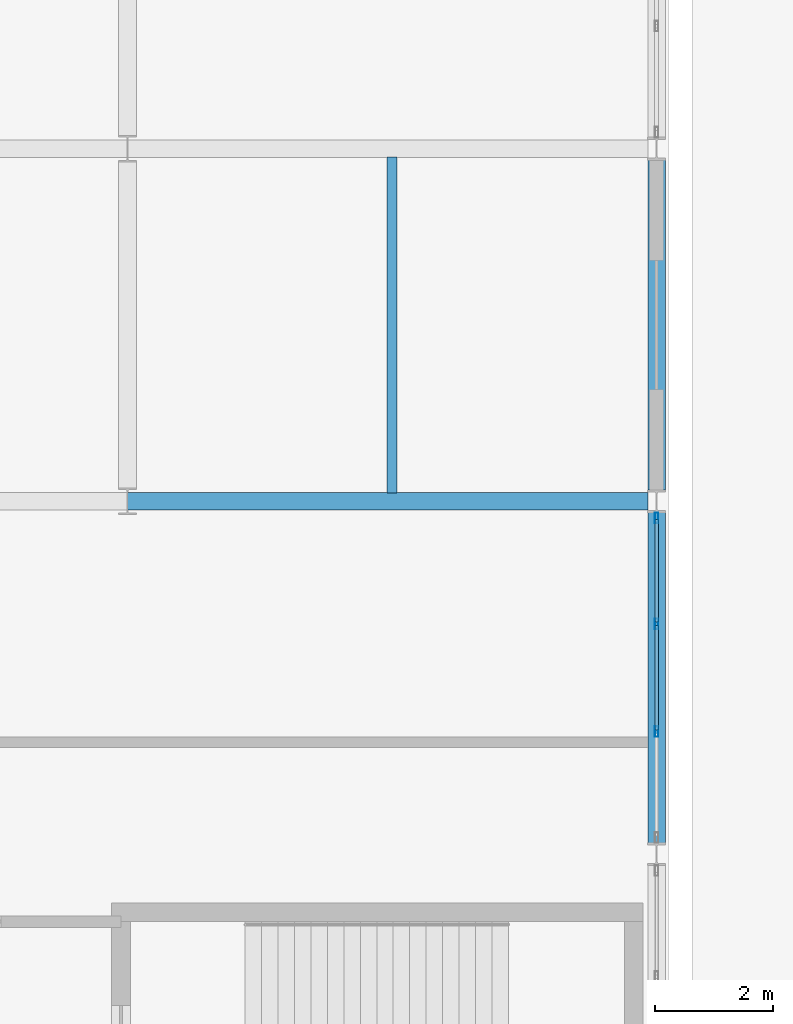
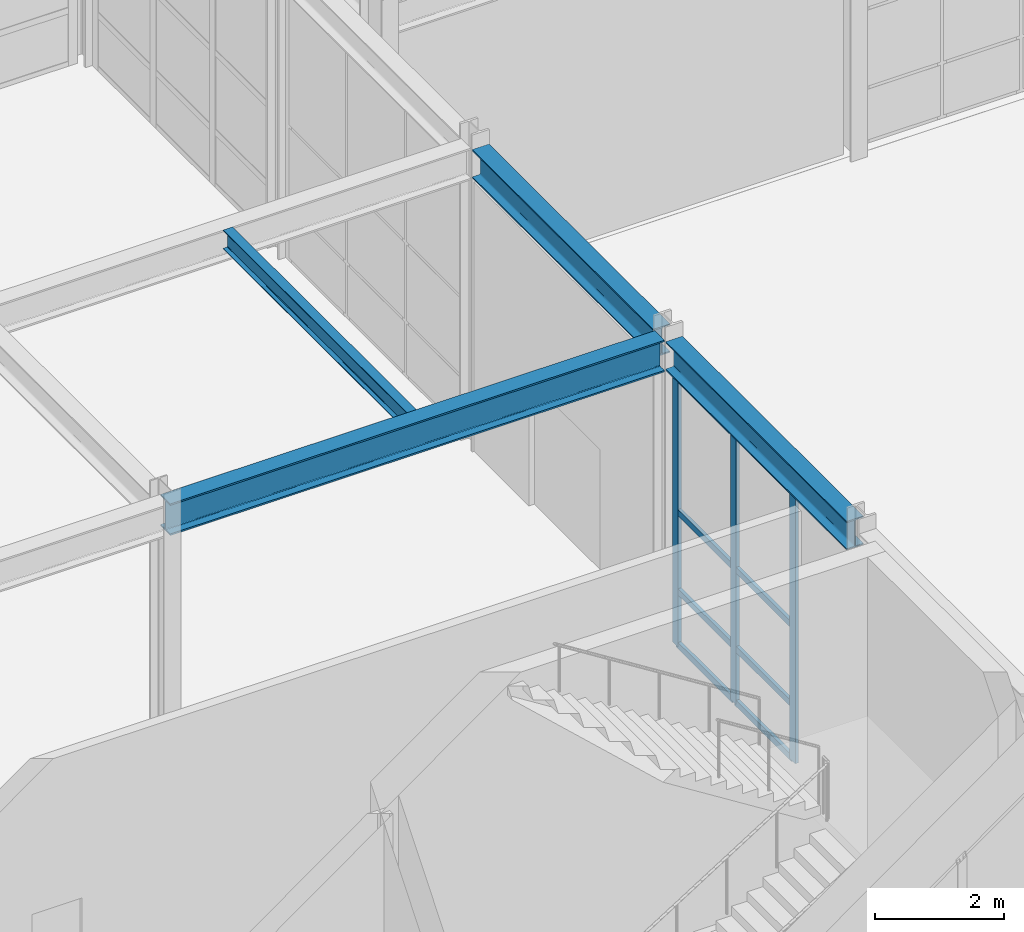
# One storey, part 38 of 146: 11 members, 4 beams, 1 element without a shape of its own.
"""IFC4 building model written with IfcOpenShell, lengths in metres."""

from ifc_helpers import new_model, si_unit, direction, frame, origin, origin_2d, place, context, subcontext, project, spatial, hollow_rectangle, i_section, extrude, material, material_profile, profile_set, type_object, element, aggregate, save


model = new_model("IFC4")

# Units and contexts
model_context = context("Model", 3, precision=1e-05, world=origin(), true_north=direction((0.0, 1.0)))
body_context = subcontext(model_context, "Body", "Model", "MODEL_VIEW")
ifc_project = project(units=[si_unit("LENGTHUNIT", "METRE"), si_unit("AREAUNIT", "SQUARE_METRE"), si_unit("VOLUMEUNIT", "CUBIC_METRE"), si_unit("PLANEANGLEUNIT", "RADIAN"), si_unit("MASSUNIT", "GRAM", prefix="KILO")], contexts=[model_context])

# Site, building, storey
site_placement = place(None, origin())
site = spatial("IfcSite", under=ifc_project, at=site_placement, CompositionType="ELEMENT")
building_placement = place(site_placement, origin())
building = spatial("IfcBuilding", under=site, at=building_placement, Name="Kaldris Quays Convention Centre", CompositionType="ELEMENT")
storey_placement = place(building_placement, origin())
storey = spatial("IfcBuildingStorey", under=building, at=storey_placement, Name="L00", CompositionType="ELEMENT", Elevation=0.0)

# Curtain wall, members
ifc_material_1 = material(Name="Anodized aluminium AW-6060 and triple glazing", Category="aluminium")
curtain_wall_type = type_object("IfcCurtainWallType", Name="UNITISED CURTAIN WALL CW05", PredefinedType="NOTDEFINED", material=ifc_material_1)
curtain_wall_placement = place(storey_placement, origin())
curtain_wall = element("IfcCurtainWall", 1, at=curtain_wall_placement, inside=storey, type_object=curtain_wall_type, Name="L00 Unitised Curtain Wall CW05 54", PredefinedType="NOTDEFINED")
ifc_material_2 = material(Name="Anodized aluminium AW-6060", Category="aluminium")
ifc_material_profile_1 = material_profile(ifc_material_2, hollow_rectangle(XDim=0.06005859375, YDim=0.179931640625, WallThickness=0.0048828125, at=origin_2d()), Name="RHS 180x60x5")
ifc_profile_set_1 = profile_set([ifc_material_profile_1], Name="Anodized aluminium AW-6060")
member_type_1 = type_object("IfcMemberType", Name="CURTAIN MULLION CWM2", PredefinedType="MULLION", material=ifc_profile_set_1)
member_1_placement = place(storey_placement, frame((83.0, 24.083251953125, 0.0), z_axis=(0.0, 0.0, 1.0), x_axis=(-1.0, 0.0, 0.0)))
member_1 = element("IfcMember", 2, at=member_1_placement, type_object=member_type_1, Name="CW05 mullion 2", PredefinedType="MULLION", context=body_context, shape_type="SweptSolid", body=[
    extrude(hollow_rectangle(XDim=0.06005859375, YDim=0.179931640625, WallThickness=0.0048828125, at=origin_2d()), origin(), (0.0, 0.0, 1.0), 5.097900390625),
])
member_2_placement = place(storey_placement, frame((83.0, 25.916748046875, 0.0), z_axis=(0.0, 0.0, 1.0), x_axis=(-1.0, 0.0, 0.0)))
member_2 = element("IfcMember", 3, at=member_2_placement, type_object=member_type_1, Name="CW05 mullion 3", PredefinedType="MULLION", context=body_context, shape_type="SweptSolid", body=[
    extrude(hollow_rectangle(XDim=0.06005859375, YDim=0.179931640625, WallThickness=0.0048828125, at=origin_2d()), origin(), (0.0, 0.0, 1.0), 5.097900390625),
])
member_3_placement = place(storey_placement, frame((83.0, 27.719970703125, 0.0), z_axis=(0.0, 0.0, 1.0), x_axis=(-1.0, 0.0, 0.0)))
member_3 = element("IfcMember", 4, at=member_3_placement, type_object=member_type_1, Name="CW05 mullion 4", PredefinedType="MULLION", context=body_context, shape_type="SweptSolid", body=[
    extrude(hollow_rectangle(XDim=0.06005859375, YDim=0.179931640625, WallThickness=0.0048828125, at=origin_2d()), origin(), (0.0, 0.0, 1.0), 5.097900390625),
])
ifc_material_profile_2 = material_profile(ifc_material_2, hollow_rectangle(XDim=0.06005859375, YDim=0.1201171875, WallThickness=0.00390625, at=origin_2d()), Name="RHS 120x60x4")
ifc_profile_set_2 = profile_set([ifc_material_profile_2], Name="Anodized aluminium AW-6060")
member_type_2 = type_object("IfcMemberType", Name="CURTAIN TRANSOM CWT1", PredefinedType="USERDEFINED", material=ifc_profile_set_2)
member_4_placement = place(storey_placement, frame((83.0, 24.11328125, 0.030029296875), z_axis=(0.0, 1.0, 0.0), x_axis=(-1.0, 0.0, 0.0)))
member_4 = element("IfcMember", 5, at=member_4_placement, type_object=member_type_2, Name="CW05 transom 2.1", ObjectType="TRANSOM", PredefinedType="USERDEFINED", context=body_context, shape_type="SweptSolid", body=[
    extrude(hollow_rectangle(XDim=0.06005859375, YDim=0.1201171875, WallThickness=0.00390625, at=origin_2d()), origin(), (0.0, 0.0, 1.0), 1.7734375),
])
member_5_placement = place(storey_placement, frame((83.0, 24.11328125, 1.050048828125), z_axis=(0.0, 1.0, 0.0), x_axis=(-1.0, 0.0, 0.0)))
member_5 = element("IfcMember", 6, at=member_5_placement, type_object=member_type_2, Name="CW05 transom 2.2", ObjectType="TRANSOM", PredefinedType="USERDEFINED", context=body_context, shape_type="SweptSolid", body=[
    extrude(hollow_rectangle(XDim=0.06005859375, YDim=0.1201171875, WallThickness=0.00390625, at=origin_2d()), origin(), (0.0, 0.0, 1.0), 1.7734375),
])
member_6_placement = place(storey_placement, frame((83.0, 24.11328125, 2.549072265625), z_axis=(0.0, 1.0, 0.0), x_axis=(-1.0, 0.0, 0.0)))
member_6 = element("IfcMember", 7, at=member_6_placement, type_object=member_type_2, Name="CW05 transom 2.3", ObjectType="TRANSOM", PredefinedType="USERDEFINED", context=body_context, shape_type="SweptSolid", body=[
    extrude(hollow_rectangle(XDim=0.06005859375, YDim=0.1201171875, WallThickness=0.00390625, at=origin_2d()), origin(), (0.0, 0.0, 1.0), 1.7734375),
])
member_7_placement = place(storey_placement, frame((83.0, 24.11328125, 5.068115234375), z_axis=(0.0, 1.0, 0.0), x_axis=(-1.0, 0.0, 0.0)))
member_7 = element("IfcMember", 8, at=member_7_placement, type_object=member_type_2, Name="CW05 transom 2.4", ObjectType="TRANSOM", PredefinedType="USERDEFINED", context=body_context, shape_type="SweptSolid", body=[
    extrude(hollow_rectangle(XDim=0.06005859375, YDim=0.1201171875, WallThickness=0.00390625, at=origin_2d()), origin(), (0.0, 0.0, 1.0), 1.7734375),
])
member_8_placement = place(storey_placement, frame((83.0, 25.94677734375, 0.030029296875), z_axis=(0.0, 1.0, 0.0), x_axis=(-1.0, 0.0, 0.0)))
member_8 = element("IfcMember", 9, at=member_8_placement, type_object=member_type_2, Name="CW05 transom 3.1", ObjectType="TRANSOM", PredefinedType="USERDEFINED", context=body_context, shape_type="SweptSolid", body=[
    extrude(hollow_rectangle(XDim=0.06005859375, YDim=0.1201171875, WallThickness=0.00390625, at=origin_2d()), origin(), (0.0, 0.0, 1.0), 1.7431640625),
])
member_9_placement = place(storey_placement, frame((83.0, 25.94677734375, 1.050048828125), z_axis=(0.0, 1.0, 0.0), x_axis=(-1.0, 0.0, 0.0)))
member_9 = element("IfcMember", 10, at=member_9_placement, type_object=member_type_2, Name="CW05 transom 3.2", ObjectType="TRANSOM", PredefinedType="USERDEFINED", context=body_context, shape_type="SweptSolid", body=[
    extrude(hollow_rectangle(XDim=0.06005859375, YDim=0.1201171875, WallThickness=0.00390625, at=origin_2d()), origin(), (0.0, 0.0, 1.0), 1.7431640625),
])
member_10_placement = place(storey_placement, frame((83.0, 25.94677734375, 2.549072265625), z_axis=(0.0, 1.0, 0.0), x_axis=(-1.0, 0.0, 0.0)))
member_10 = element("IfcMember", 11, at=member_10_placement, type_object=member_type_2, Name="CW05 transom 3.3", ObjectType="TRANSOM", PredefinedType="USERDEFINED", context=body_context, shape_type="SweptSolid", body=[
    extrude(hollow_rectangle(XDim=0.06005859375, YDim=0.1201171875, WallThickness=0.00390625, at=origin_2d()), origin(), (0.0, 0.0, 1.0), 1.7431640625),
])
member_11_placement = place(storey_placement, frame((83.0, 25.94677734375, 5.068115234375), z_axis=(0.0, 1.0, 0.0), x_axis=(-1.0, 0.0, 0.0)))
member_11 = element("IfcMember", 12, at=member_11_placement, type_object=member_type_2, Name="CW05 transom 3.4", ObjectType="TRANSOM", PredefinedType="USERDEFINED", context=body_context, shape_type="SweptSolid", body=[
    extrude(hollow_rectangle(XDim=0.06005859375, YDim=0.1201171875, WallThickness=0.00390625, at=origin_2d()), origin(), (0.0, 0.0, 1.0), 1.7431640625),
])
aggregate(curtain_wall, [member_1, member_2, member_3, member_4, member_5, member_6, member_7, member_8, member_9, member_10, member_11])

# Beams
ifc_material_3 = material(Name="Steel S355J2", Category="steel")
ifc_material_profile_3 = material_profile(ifc_material_3, i_section(OverallWidth=0.300048828125, OverallDepth=0.60009765625, WebThickness=0.015380859375, FlangeThickness=0.030029296875, FilletRadius=0.027099609375, at=origin_2d()), Name="HEB 600")
ifc_profile_set_3 = profile_set([ifc_material_profile_3], Name="Steel S355J2")
beam_type_1 = type_object("IfcBeamType", Name="STRUCTURAL BEAM BM05", PredefinedType="BEAM", material=ifc_profile_set_3)
beam_1_placement = place(storey_placement, frame((74.0009765625, 28.0, 5.423095703125), z_axis=(1.0, 0.0, 0.0), x_axis=(0.0, 1.0, 0.0)))
element("IfcBeam", 13, at=beam_1_placement, inside=storey, type_object=beam_type_1, Name="L00 Girder BM05 12", PredefinedType="BEAM", context=body_context, shape_type="SweptSolid", body=[
    extrude(i_section(OverallWidth=0.300048828125, OverallDepth=0.60009765625, WebThickness=0.015380859375, FlangeThickness=0.030029296875, FilletRadius=0.027099609375, at=origin_2d()), origin(), (0.0, 0.0, 1.0), 8.85107421875),
])
ifc_material_profile_4 = material_profile(ifc_material_3, i_section(OverallWidth=0.300048828125, OverallDepth=0.5400390625, WebThickness=0.012451171875, FlangeThickness=0.02392578125, FilletRadius=0.027099609375, at=origin_2d()), Name="HEA 550")
ifc_profile_set_4 = profile_set([ifc_material_profile_4], Name="Steel S355J2")
beam_type_2 = type_object("IfcBeamType", Name="STRUCTURAL BEAM BM13", PredefinedType="BEAM", material=ifc_profile_set_4)
for number, where, z_axis, x_axis, name in (
    (14, (83.0, 22.19140625, 5.452880859375), (0.0, 1.0, 0.0), (-1.0, 0.0, 0.0), "L00 Girder BM13 45"),
    (15, (83.0, 28.19140625, 5.452880859375), (0.0, 1.0, 0.0), (-1.0, 0.0, 0.0), "L00 Girder BM13 46"),
):
    element("IfcBeam", number, at=place(storey_placement, frame(where, z_axis=z_axis, x_axis=x_axis)), inside=storey, type_object=beam_type_2, Name=name, PredefinedType="BEAM", context=body_context, shape_type="SweptSolid", body=[
        extrude(i_section(OverallWidth=0.300048828125, OverallDepth=0.5400390625, WebThickness=0.012451171875, FlangeThickness=0.02392578125, FilletRadius=0.027099609375, at=origin_2d()), origin(), (0.0, 0.0, 1.0), 5.6171875),
    ])
ifc_material_profile_5 = material_profile(ifc_material_3, i_section(OverallWidth=0.169921875, OverallDepth=0.360107421875, WebThickness=0.008056640625, FlangeThickness=0.0126953125, FilletRadius=0.01806640625, at=origin_2d()), Name="IPE 360")
ifc_profile_set_5 = profile_set([ifc_material_profile_5], Name="Steel S355J2")
beam_type_3 = type_object("IfcBeamType", Name="STRUCTURAL BEAM JT03", PredefinedType="JOIST", material=ifc_profile_set_5)
beam_2_placement = place(storey_placement, frame((78.5, 28.14404296875, 5.54296875), z_axis=(0.0, 1.0, 0.0), x_axis=(-1.0, 0.0, 0.0)))
element("IfcBeam", 16, at=beam_2_placement, inside=storey, type_object=beam_type_3, Name="L00 Secondary Joist JT03 7", PredefinedType="JOIST", context=body_context, shape_type="SweptSolid", body=[
    extrude(i_section(OverallWidth=0.169921875, OverallDepth=0.360107421875, WebThickness=0.008056640625, FlangeThickness=0.0126953125, FilletRadius=0.01806640625, at=origin_2d()), origin(), (0.0, 0.0, 1.0), 5.7119140625),
])

save(model, "model.ifc")
